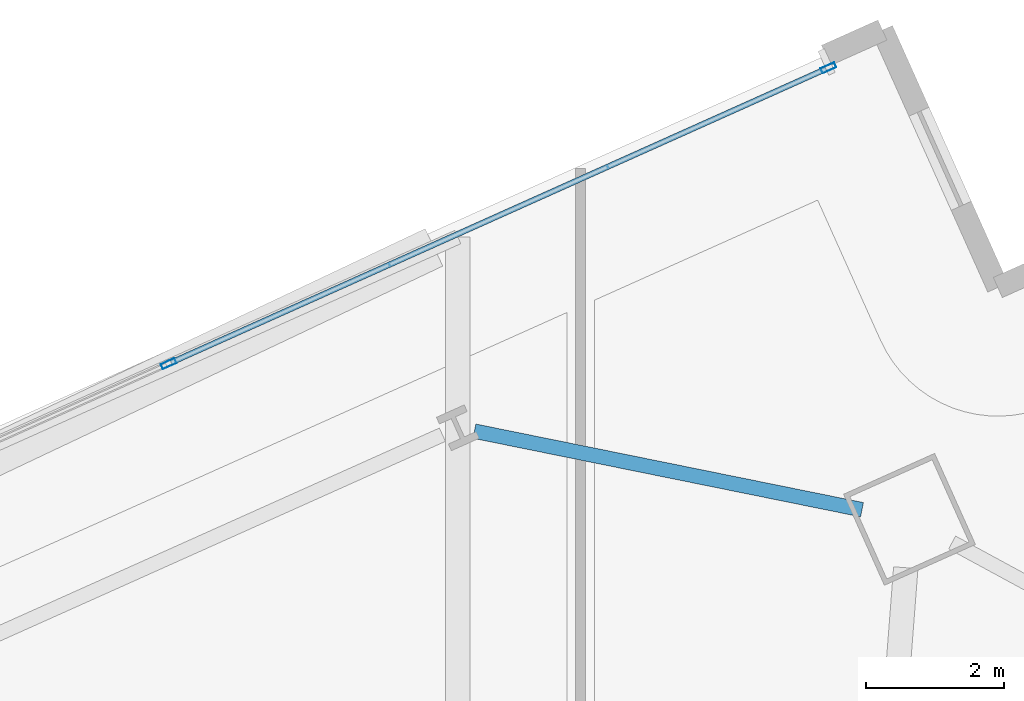
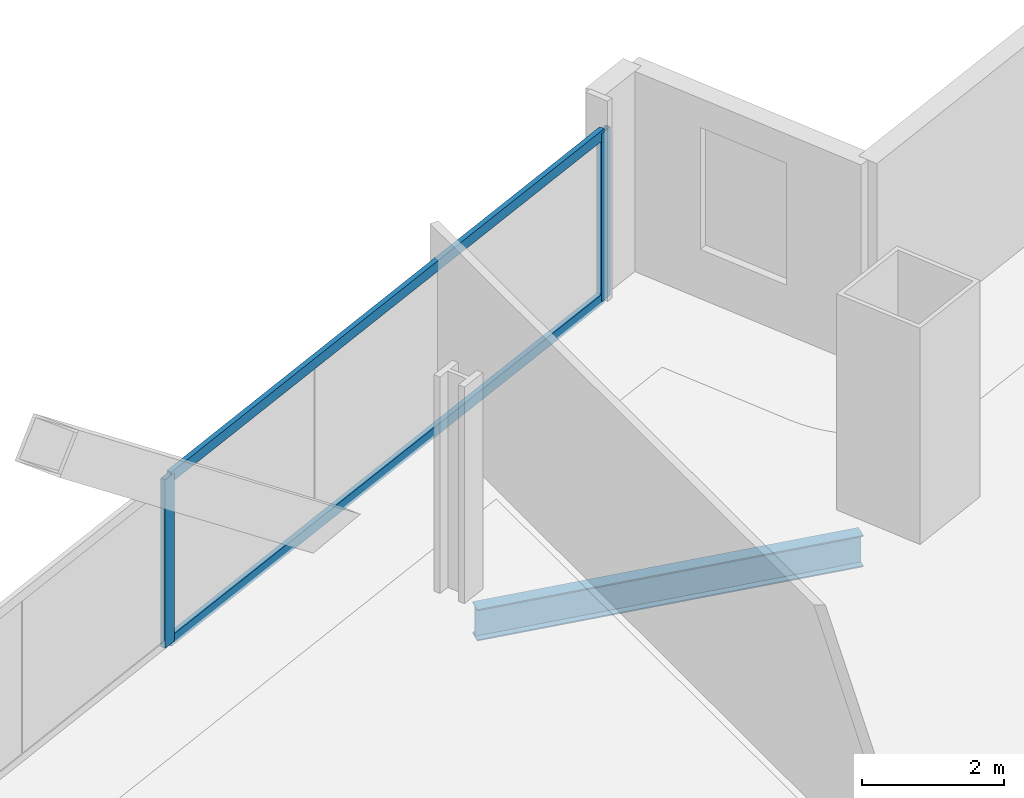
# One storey, part 23 of 38: 4 members, 1 beam, 1 element without a shape of its own.
"""IFC4 building model written with IfcOpenShell, lengths in metres."""

from ifc_helpers import new_model, si_unit, direction, frame, origin, origin_2d, place, context, subcontext, project, spatial, hollow_rectangle, i_section, extrude, material, material_profile, profile_set, type_object, element, aggregate, save


model = new_model("IFC4")

# Units and contexts
model_context = context("Model", 3, precision=1e-05, world=origin(), true_north=direction((0.0, 1.0)))
body_context = subcontext(model_context, "Body", "Model", "MODEL_VIEW")
ifc_project = project(units=[si_unit("LENGTHUNIT", "METRE"), si_unit("AREAUNIT", "SQUARE_METRE"), si_unit("VOLUMEUNIT", "CUBIC_METRE"), si_unit("PLANEANGLEUNIT", "RADIAN"), si_unit("MASSUNIT", "GRAM", prefix="KILO")], contexts=[model_context])

# Site, building, storey
site_placement = place(None, origin())
site = spatial("IfcSite", under=ifc_project, at=site_placement, CompositionType="ELEMENT")
building_placement = place(site_placement, origin())
building = spatial("IfcBuilding", under=site, at=building_placement, Name="Haldenkirk Collegiate Tower", CompositionType="ELEMENT")
storey_placement = place(building_placement, frame((0.0, 0.0, 109.199951171875)))
storey = spatial("IfcBuildingStorey", under=building, at=storey_placement, Name="L26", CompositionType="ELEMENT", Elevation=109.199951171875)

# Beam
ifc_material_1 = material(Name="Steel ASTM A992 Grade 50", Category="steel")
ifc_material_profile_1 = material_profile(ifc_material_1, i_section(OverallWidth=0.2119140625, OverallDepth=0.5439453125, WebThickness=0.01318359375, FlangeThickness=0.021240234375, at=origin_2d()), Name="W21X83")
ifc_profile_set_1 = profile_set([ifc_material_profile_1], Name="Steel ASTM A992 Grade 50")
beam_type = type_object("IfcBeamType", Name="BM-SPANDREL-W21X83", PredefinedType="SPANDREL", material=ifc_profile_set_1)
beam_placement = place(storey_placement, frame((45.590087890625, 50.750244140625, -0.572021484375), z_axis=(-0.980069318183, 0.198655811786, 0.0), x_axis=(-0.198655811786, -0.980069318183, 0.0)))
element("IfcBeam", 1, at=beam_placement, inside=storey, type_object=beam_type, Name="L26 perimeter spandrel beam 09", PredefinedType="SPANDREL", context=body_context, shape_type="SweptSolid", body=[
    extrude(i_section(OverallWidth=0.2119140625, OverallDepth=0.5439453125, WebThickness=0.01318359375, FlangeThickness=0.021240234375, at=origin_2d()), origin(), (0.0, 0.0, 1.0), 5.747802734375),
])

# Curtain wall, members
ifc_material_2 = material(Name="Anodised architectural bronze aluminium", Category="aluminium")
curtain_wall_type = type_object("IfcCurtainWallType", Name="CW-SYS1-CONVEX-LOW", PredefinedType="USERDEFINED", material=ifc_material_2)
curtain_wall_placement = place(storey_placement, origin())
curtain_wall = element("IfcCurtainWall", 2, at=curtain_wall_placement, inside=storey, type_object=curtain_wall_type, Name="L26 Lower tower convex bronze-framed unitised curtain wall", ObjectType="UNITISED CURTAIN WALL", PredefinedType="USERDEFINED")
ifc_material_profile_2 = material_profile(ifc_material_2, hollow_rectangle(XDim=0.080078125, YDim=0.219970703125, WallThickness=0.0048828125, at=origin_2d()), Name="CW-MUL-1A")
ifc_profile_set_2 = profile_set([ifc_material_profile_2], Name="Anodised architectural bronze aluminium")
member_type_1 = type_object("IfcMemberType", Name="CW-MUL-1A", PredefinedType="MULLION", material=ifc_profile_set_2)
member_1_placement = place(storey_placement, frame((35.512939453125, 52.872802734375, 0.0), z_axis=(0.0, 0.0, 1.0), x_axis=(-0.409127344707, 0.912477296053, 0.0)))
member_1 = element("IfcMember", 3, at=member_1_placement, type_object=member_type_1, Name="CW-1A mullion 4", PredefinedType="MULLION", context=body_context, shape_type="SweptSolid", body=[
    extrude(hollow_rectangle(XDim=0.080078125, YDim=0.219970703125, WallThickness=0.0048828125, at=origin_2d()), origin(), (0.0, 0.0, 1.0), 2.901123046875),
])
member_2_placement = place(storey_placement, frame((45.10302734375, 57.1728515625, 0.0), z_axis=(0.0, 0.0, 1.0), x_axis=(-0.409127344707, 0.912477296053, 0.0)))
member_2 = element("IfcMember", 4, at=member_2_placement, type_object=member_type_1, Name="CW-1A mullion 5", PredefinedType="MULLION", context=body_context, shape_type="SweptSolid", body=[
    extrude(hollow_rectangle(XDim=0.080078125, YDim=0.219970703125, WallThickness=0.0048828125, at=origin_2d()), origin(), (0.0, 0.0, 1.0), 2.901123046875),
])
ifc_material_profile_3 = material_profile(ifc_material_2, hollow_rectangle(XDim=0.080078125, YDim=0.179931640625, WallThickness=0.0048828125, at=origin_2d()), Name="CW-TRN-1A")
ifc_profile_set_3 = profile_set([ifc_material_profile_3], Name="Anodised architectural bronze aluminium")
member_type_2 = type_object("IfcMemberType", Name="CW-TRN-1A", PredefinedType="USERDEFINED", material=ifc_profile_set_3)
member_3_placement = place(storey_placement, frame((35.549560546875, 52.88916015625, 0.0400390625), z_axis=(0.912480398614, 0.409120424991, 0.0), x_axis=(-0.409120424991, 0.912480398614, 0.0)))
member_3 = element("IfcMember", 5, at=member_3_placement, type_object=member_type_2, Name="CW-1A transom 4.1", ObjectType="TRANSOM", PredefinedType="USERDEFINED", context=body_context, shape_type="SweptSolid", body=[
    extrude(hollow_rectangle(XDim=0.080078125, YDim=0.179931640625, WallThickness=0.0048828125, at=origin_2d()), origin(), (0.0, 0.0, 1.0), 10.429931640625),
])
member_4_placement = place(storey_placement, frame((35.549560546875, 52.88916015625, 2.861083984375), z_axis=(0.912480398614, 0.409120424991, 0.0), x_axis=(-0.409120424991, 0.912480398614, 0.0)))
member_4 = element("IfcMember", 6, at=member_4_placement, type_object=member_type_2, Name="CW-1A transom 4.2", ObjectType="TRANSOM", PredefinedType="USERDEFINED", context=body_context, shape_type="SweptSolid", body=[
    extrude(hollow_rectangle(XDim=0.080078125, YDim=0.179931640625, WallThickness=0.0048828125, at=origin_2d()), origin(), (0.0, 0.0, 1.0), 10.429931640625),
])
aggregate(curtain_wall, [member_1, member_2, member_3, member_4])

save(model, "model.ifc")
